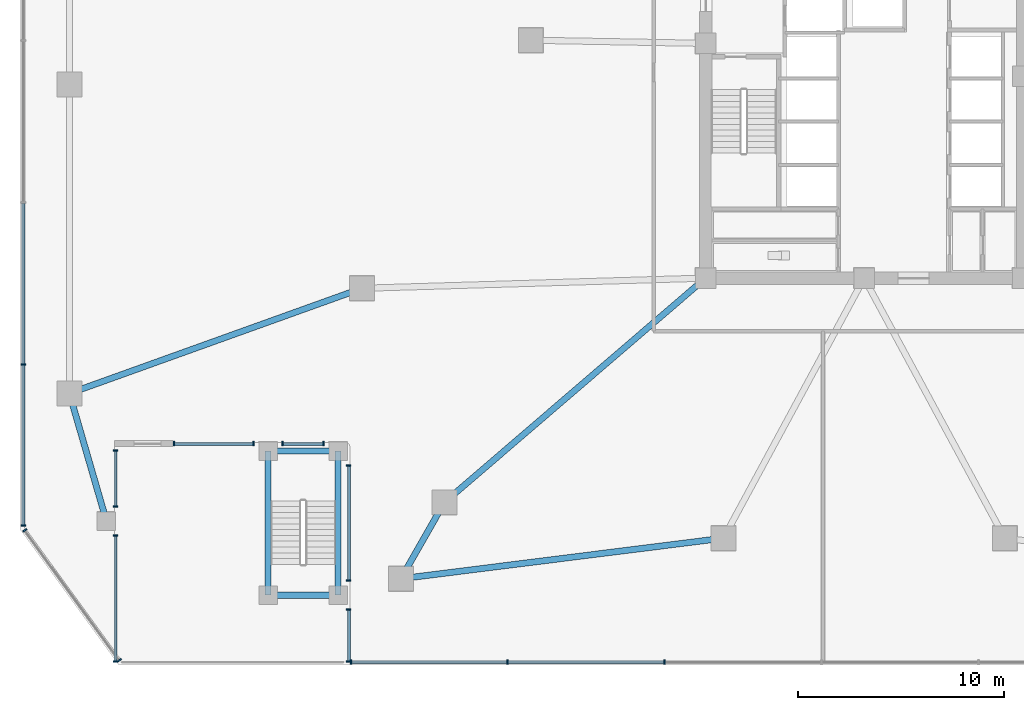
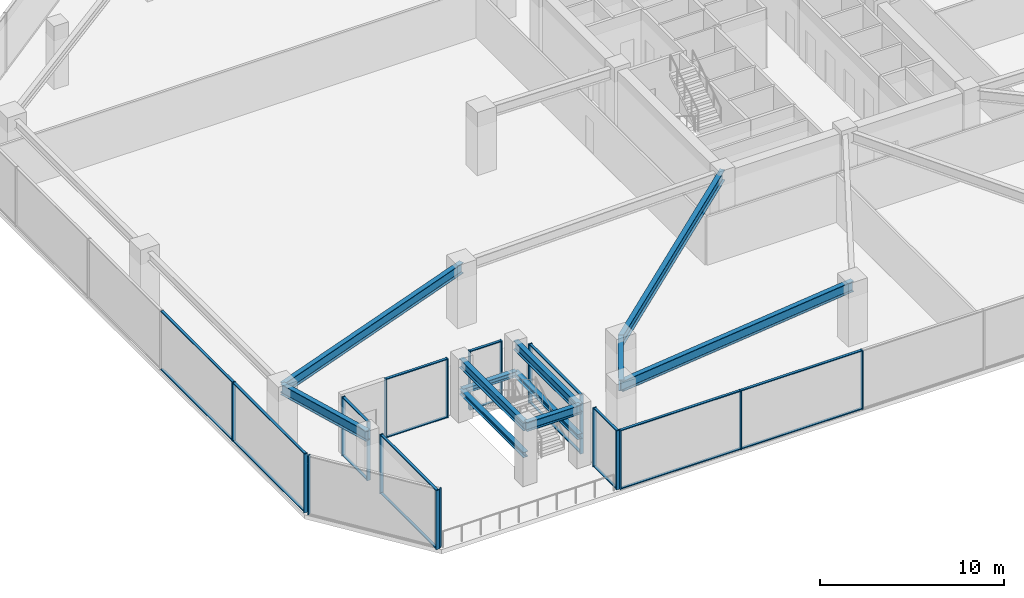
# One storey, part 2 of 21: 39 members, 11 beams, 9 elements without a shape of their own.
"""IFC4 building model written with IfcOpenShell, lengths in metres."""

from ifc_helpers import new_model, si_unit, direction, frame, origin, origin_2d, place, context, subcontext, project, spatial, rectangle, i_section, extrude, material, material_profile, profile_set, type_object, element, aggregate, save


model = new_model("IFC4")

# Units and contexts
model_context = context("Model", 3, precision=1e-05, world=origin(), true_north=direction((0.0, 1.0)))
body_context = subcontext(model_context, "Body", "Model", "MODEL_VIEW")
ifc_project = project(units=[si_unit("LENGTHUNIT", "METRE"), si_unit("AREAUNIT", "SQUARE_METRE"), si_unit("VOLUMEUNIT", "CUBIC_METRE"), si_unit("PLANEANGLEUNIT", "RADIAN"), si_unit("MASSUNIT", "GRAM", prefix="KILO")], contexts=[model_context])

# Site, building, storey
site_placement = place(None, origin())
site = spatial("IfcSite", under=ifc_project, at=site_placement, CompositionType="ELEMENT")
building_placement = place(site_placement, origin())
building = spatial("IfcBuilding", under=site, at=building_placement, Name="Savorim Split Tower", CompositionType="ELEMENT")
storey_placement = place(building_placement, frame((0.0, 0.0, 9.199951171875)))
storey = spatial("IfcBuildingStorey", under=building, at=storey_placement, Name="L02", CompositionType="ELEMENT", Elevation=9.199951171875)

# Beams
ifc_material_1 = material(Name="Steel S355", Category="steel")
ifc_material_profile_1 = material_profile(ifc_material_1, i_section(OverallWidth=0.300048828125, OverallDepth=0.60009765625, WebThickness=0.015380859375, FlangeThickness=0.030029296875, FilletRadius=0.027099609375, at=origin_2d()), Name="HEB 600")
ifc_profile_set_1 = profile_set([ifc_material_profile_1], Name="Steel S355")
beam_type_1 = type_object("IfcBeamType", Name="BM-PRI-HEB600", PredefinedType="BEAM", material=ifc_profile_set_1)
beam_1_placement = place(storey_placement, frame((-28.949951171875, -24.800048828125, 3.6201171875), z_axis=(1.0, 0.0, 0.0), x_axis=(0.0, 1.0, 0.0)))
element("IfcBeam", 1, at=beam_1_placement, inside=storey, type_object=beam_type_1, Name="L02 Exterior Garden Stair Framing Beam 1", PredefinedType="BEAM", context=body_context, shape_type="SweptSolid", body=[
    extrude(i_section(OverallWidth=0.300048828125, OverallDepth=0.60009765625, WebThickness=0.015380859375, FlangeThickness=0.030029296875, FilletRadius=0.027099609375, at=origin_2d()), origin(), (0.0, 0.0, 1.0), 3.39990234375),
])
for number, where, z_axis, x_axis, name in (
    (2, (-28.949951171875, -24.800048828125, 3.6201171875), (0.0, 1.0, 0.0), (-1.0, 0.0, 0.0), "L02 Exterior Garden Stair Framing Beam 3"),
    (3, (-25.550048828125, -24.800048828125, 3.6201171875), (0.0, 1.0, 0.0), (-1.0, 0.0, 0.0), "L02 Exterior Garden Stair Framing Beam 4"),
):
    element("IfcBeam", number, at=place(storey_placement, frame(where, z_axis=z_axis, x_axis=x_axis)), inside=storey, type_object=beam_type_1, Name=name, PredefinedType="BEAM", context=body_context, shape_type="SweptSolid", body=[
        extrude(i_section(OverallWidth=0.300048828125, OverallDepth=0.60009765625, WebThickness=0.015380859375, FlangeThickness=0.030029296875, FilletRadius=0.027099609375, at=origin_2d()), origin(), (0.0, 0.0, 1.0), 7.0),
    ])
ifc_material_profile_2 = material_profile(ifc_material_1, i_section(OverallWidth=0.300048828125, OverallDepth=0.699951171875, WebThickness=0.01708984375, FlangeThickness=0.031982421875, FilletRadius=0.027099609375, at=origin_2d()), Name="HEB 700")
ifc_profile_set_2 = profile_set([ifc_material_profile_2], Name="Steel S355")
beam_type_2 = type_object("IfcBeamType", Name="BM-PRI-HEB700", PredefinedType="BEAM", material=ifc_profile_set_2)
beam_2_placement = place(storey_placement, frame((-22.5, -24.0, 3.570068359375), z_axis=(0.495603085314, 0.868549124591, 0.0), x_axis=(-0.868549124591, 0.495603085314, 0.0)))
element("IfcBeam", 4, at=beam_2_placement, inside=storey, type_object=beam_type_2, Name="L02 Podium Primary Girder BG-01", PredefinedType="BEAM", context=body_context, shape_type="SweptSolid", body=[
    extrude(i_section(OverallWidth=0.300048828125, OverallDepth=0.699951171875, WebThickness=0.01708984375, FlangeThickness=0.031982421875, FilletRadius=0.027099609375, at=origin_2d()), origin(), (0.0, 0.0, 1.0), 4.26953125),
])
beam_3_placement = place(storey_placement, frame((-22.5, -24.0, 3.570068359375), z_axis=(0.992201816191, 0.124641710303, 0.0), x_axis=(-0.124641710303, 0.992201816191, 0.0)))
element("IfcBeam", 5, at=beam_3_placement, inside=storey, type_object=beam_type_2, Name="L02 Podium Primary Girder BG-02", PredefinedType="BEAM", context=body_context, shape_type="SweptSolid", body=[
    extrude(i_section(OverallWidth=0.300048828125, OverallDepth=0.699951171875, WebThickness=0.01708984375, FlangeThickness=0.031982421875, FilletRadius=0.027099609375, at=origin_2d()), origin(), (0.0, 0.0, 1.0), 15.791259765625),
])
beam_4_placement = place(storey_placement, frame((-38.60009765625, -15.0, 3.570068359375), z_axis=(0.941138119123, 0.338022248874, 0.0), x_axis=(-0.338022248874, 0.941138119123, 0.0)))
element("IfcBeam", 6, at=beam_4_placement, inside=storey, type_object=beam_type_2, Name="L02 Podium Primary Girder BG-19", PredefinedType="BEAM", context=body_context, shape_type="SweptSolid", body=[
    extrude(i_section(OverallWidth=0.300048828125, OverallDepth=0.699951171875, WebThickness=0.01708984375, FlangeThickness=0.031982421875, FilletRadius=0.027099609375, at=origin_2d()), origin(), (0.0, 0.0, 1.0), 15.104736328125),
])
beam_5_placement = place(storey_placement, frame((-38.60009765625, -15.0, 3.570068359375), z_axis=(0.278819195264, -0.960343613689, 0.0), x_axis=(0.960343613689, 0.278819195264, 0.0)))
element("IfcBeam", 7, at=beam_5_placement, inside=storey, type_object=beam_type_2, Name="L02 Podium Primary Girder BG-20", PredefinedType="BEAM", context=body_context, shape_type="SweptSolid", body=[
    extrude(i_section(OverallWidth=0.300048828125, OverallDepth=0.699951171875, WebThickness=0.01708984375, FlangeThickness=0.031982421875, FilletRadius=0.027099609375, at=origin_2d()), origin(), (0.0, 0.0, 1.0), 6.4560546875),
])
beam_6_placement = place(storey_placement, frame((-20.384033203125, -20.291748046875, 3.570068359375), z_axis=(0.758671842154, 0.651472974054, 0.0), x_axis=(-0.651472974054, 0.758671842154, 0.0)))
element("IfcBeam", 8, at=beam_6_placement, inside=storey, type_object=beam_type_2, Name="L02 Podium Primary Girder BG-22", PredefinedType="BEAM", context=body_context, shape_type="SweptSolid", body=[
    extrude(i_section(OverallWidth=0.300048828125, OverallDepth=0.699951171875, WebThickness=0.01708984375, FlangeThickness=0.031982421875, FilletRadius=0.027099609375, at=origin_2d()), origin(), (0.0, 0.0, 1.0), 16.71875),
])
ifc_material_profile_3 = material_profile(ifc_material_1, i_section(OverallWidth=0.300048828125, OverallDepth=0.35009765625, WebThickness=0.010009765625, FlangeThickness=0.017578125, FilletRadius=0.027099609375, at=origin_2d()), Name="HEA 360")
ifc_profile_set_3 = profile_set([ifc_material_profile_3], Name="Steel S355")
beam_type_3 = type_object("IfcBeamType", Name="BM-SPN-HEA360", PredefinedType="SPANDREL", material=ifc_profile_set_3)
beam_7_placement = place(storey_placement, frame((-28.949951171875, -17.800048828125, 1.72509765625), z_axis=(1.0, 0.0, 0.0), x_axis=(0.0, 1.0, 0.0)))
element("IfcBeam", 9, at=beam_7_placement, inside=storey, type_object=beam_type_3, Name="L02 Garden Stair Half-Landing Beam 1", PredefinedType="SPANDREL", context=body_context, shape_type="SweptSolid", body=[
    extrude(i_section(OverallWidth=0.300048828125, OverallDepth=0.35009765625, WebThickness=0.010009765625, FlangeThickness=0.017578125, FilletRadius=0.027099609375, at=origin_2d()), origin(), (0.0, 0.0, 1.0), 3.39990234375),
])
for number, where, z_axis, x_axis, name in (
    (10, (-28.949951171875, -24.800048828125, 1.72509765625), (0.0, 1.0, 0.0), (-1.0, 0.0, 0.0), "L02 Garden Stair Half-Landing Beam 2"),
    (11, (-25.550048828125, -24.800048828125, 1.72509765625), (0.0, 1.0, 0.0), (-1.0, 0.0, 0.0), "L02 Garden Stair Half-Landing Beam 3"),
):
    element("IfcBeam", number, at=place(storey_placement, frame(where, z_axis=z_axis, x_axis=x_axis)), inside=storey, type_object=beam_type_3, Name=name, PredefinedType="SPANDREL", context=body_context, shape_type="SweptSolid", body=[
        extrude(i_section(OverallWidth=0.300048828125, OverallDepth=0.35009765625, WebThickness=0.010009765625, FlangeThickness=0.017578125, FilletRadius=0.027099609375, at=origin_2d()), origin(), (0.0, 0.0, 1.0), 7.0),
    ])

# Curtain wall, members
ifc_material_2 = material(Name="Dark Ceramic-Fritted Insulated Glass", Category="glass")
curtain_wall_type = type_object("IfcCurtainWallType", Name="CW-POD-GLZ", PredefinedType="NOTDEFINED", material=ifc_material_2)
curtain_wall_1_placement = place(storey_placement, origin())
curtain_wall_1 = element("IfcCurtainWall", 12, at=curtain_wall_1_placement, inside=storey, type_object=curtain_wall_type, Name="L02 Curtain Wall CW-L02-E01S1", PredefinedType="NOTDEFINED")
ifc_material_3 = material(Name="Charcoal Anodised Aluminium", Category="aluminium")
ifc_material_profile_4 = material_profile(ifc_material_3, rectangle(XDim=0.219970703125, YDim=0.070068359375, at=origin_2d()), Name="ALU-M 220x70")
ifc_profile_set_4 = profile_set([ifc_material_profile_4], Name="Charcoal Anodised Aluminium")
member_type_1 = type_object("IfcMemberType", Name="CWM-220x70", PredefinedType="MULLION", material=ifc_profile_set_4)
member_1_placement = place(storey_placement, frame((-36.360107421875, -28.02490234375, 0.0), z_axis=(0.0, 0.0, 1.0), x_axis=(-1.0, 0.0, 0.0)))
member_1 = element("IfcMember", 13, at=member_1_placement, type_object=member_type_1, Name="CW-01 mullion 1", PredefinedType="MULLION", context=body_context, shape_type="SweptSolid", body=[
    extrude(rectangle(XDim=0.219970703125, YDim=0.070068359375, at=origin_2d()), origin(), (0.0, 0.0, 1.0), 3.920166015625),
])
member_2_placement = place(storey_placement, frame((-36.360107421875, -21.905029296875, 0.0), z_axis=(0.0, 0.0, 1.0), x_axis=(-1.0, 0.0, 0.0)))
member_2 = element("IfcMember", 14, at=member_2_placement, type_object=member_type_1, Name="CW-01 mullion 2", PredefinedType="MULLION", context=body_context, shape_type="SweptSolid", body=[
    extrude(rectangle(XDim=0.219970703125, YDim=0.070068359375, at=origin_2d()), origin(), (0.0, 0.0, 1.0), 3.920166015625),
])

curtain_wall_2_placement = place(storey_placement, origin())
curtain_wall_2 = element("IfcCurtainWall", 15, at=curtain_wall_2_placement, inside=storey, type_object=curtain_wall_type, Name="L02 Curtain Wall CW-L02-E01S2", PredefinedType="NOTDEFINED")
member_3_placement = place(storey_placement, frame((-36.360107421875, -20.4951171875, 0.0), z_axis=(0.0, 0.0, 1.0), x_axis=(-1.0, 0.0, 0.0)))
member_3 = element("IfcMember", 16, at=member_3_placement, type_object=member_type_1, Name="CW-01 mullion 1", PredefinedType="MULLION", context=body_context, shape_type="SweptSolid", body=[
    extrude(rectangle(XDim=0.219970703125, YDim=0.070068359375, at=origin_2d()), origin(), (0.0, 0.0, 1.0), 3.920166015625),
])
member_4_placement = place(storey_placement, frame((-36.360107421875, -17.77490234375, 0.0), z_axis=(0.0, 0.0, 1.0), x_axis=(-1.0, 0.0, 0.0)))
member_4 = element("IfcMember", 17, at=member_4_placement, type_object=member_type_1, Name="CW-01 mullion 2", PredefinedType="MULLION", context=body_context, shape_type="SweptSolid", body=[
    extrude(rectangle(XDim=0.219970703125, YDim=0.070068359375, at=origin_2d()), origin(), (0.0, 0.0, 1.0), 3.920166015625),
])

curtain_wall_3_placement = place(storey_placement, origin())
curtain_wall_3 = element("IfcCurtainWall", 18, at=curtain_wall_3_placement, inside=storey, type_object=curtain_wall_type, Name="L02 Curtain Wall CW-L02-E02S1", PredefinedType="NOTDEFINED")
member_5_placement = place(storey_placement, frame((-33.52490234375, -17.43994140625, 0.0), z_axis=(0.0, 0.0, 1.0), x_axis=(0.0, 1.0, 0.0)))
member_5 = element("IfcMember", 19, at=member_5_placement, type_object=member_type_1, Name="CW-01 mullion 1", PredefinedType="MULLION", context=body_context, shape_type="SweptSolid", body=[
    extrude(rectangle(XDim=0.219970703125, YDim=0.070068359375, at=origin_2d()), origin(), (0.0, 0.0, 1.0), 3.920166015625),
])
member_6_placement = place(storey_placement, frame((-29.655029296875, -17.43994140625, 0.0), z_axis=(0.0, 0.0, 1.0), x_axis=(0.0, 1.0, 0.0)))
member_6 = element("IfcMember", 20, at=member_6_placement, type_object=member_type_1, Name="CW-01 mullion 2", PredefinedType="MULLION", context=body_context, shape_type="SweptSolid", body=[
    extrude(rectangle(XDim=0.219970703125, YDim=0.070068359375, at=origin_2d()), origin(), (0.0, 0.0, 1.0), 3.920166015625),
])

curtain_wall_4_placement = place(storey_placement, origin())
curtain_wall_4 = element("IfcCurtainWall", 21, at=curtain_wall_4_placement, inside=storey, type_object=curtain_wall_type, Name="L02 Curtain Wall CW-L02-E02S2", PredefinedType="NOTDEFINED")
member_7_placement = place(storey_placement, frame((-28.2451171875, -17.43994140625, 0.0), z_axis=(0.0, 0.0, 1.0), x_axis=(0.0, 1.0, 0.0)))
member_7 = element("IfcMember", 22, at=member_7_placement, type_object=member_type_1, Name="CW-01 mullion 1", PredefinedType="MULLION", context=body_context, shape_type="SweptSolid", body=[
    extrude(rectangle(XDim=0.219970703125, YDim=0.070068359375, at=origin_2d()), origin(), (0.0, 0.0, 1.0), 3.920166015625),
])
member_8_placement = place(storey_placement, frame((-26.2548828125, -17.43994140625, 0.0), z_axis=(0.0, 0.0, 1.0), x_axis=(0.0, 1.0, 0.0)))
member_8 = element("IfcMember", 23, at=member_8_placement, type_object=member_type_1, Name="CW-01 mullion 2", PredefinedType="MULLION", context=body_context, shape_type="SweptSolid", body=[
    extrude(rectangle(XDim=0.219970703125, YDim=0.070068359375, at=origin_2d()), origin(), (0.0, 0.0, 1.0), 3.920166015625),
])

curtain_wall_5_placement = place(storey_placement, origin())
curtain_wall_5 = element("IfcCurtainWall", 24, at=curtain_wall_5_placement, inside=storey, type_object=curtain_wall_type, Name="L02 Curtain Wall CW-L02-E03S1", PredefinedType="NOTDEFINED")
member_9_placement = place(storey_placement, frame((-25.0400390625, -18.5048828125, 0.0), z_axis=(0.0, 0.0, 1.0), x_axis=(1.0, 0.0, 0.0)))
member_9 = element("IfcMember", 25, at=member_9_placement, type_object=member_type_1, Name="CW-01 mullion 1", PredefinedType="MULLION", context=body_context, shape_type="SweptSolid", body=[
    extrude(rectangle(XDim=0.219970703125, YDim=0.070068359375, at=origin_2d()), origin(), (0.0, 0.0, 1.0), 3.920166015625),
])
member_10_placement = place(storey_placement, frame((-25.0400390625, -24.094970703125, 0.0), z_axis=(0.0, 0.0, 1.0), x_axis=(1.0, 0.0, 0.0)))
member_10 = element("IfcMember", 26, at=member_10_placement, type_object=member_type_1, Name="CW-01 mullion 2", PredefinedType="MULLION", context=body_context, shape_type="SweptSolid", body=[
    extrude(rectangle(XDim=0.219970703125, YDim=0.070068359375, at=origin_2d()), origin(), (0.0, 0.0, 1.0), 3.920166015625),
])

curtain_wall_6_placement = place(storey_placement, origin())
curtain_wall_6 = element("IfcCurtainWall", 27, at=curtain_wall_6_placement, inside=storey, type_object=curtain_wall_type, Name="L02 Curtain Wall CW-L02-E03S2", PredefinedType="NOTDEFINED")
member_11_placement = place(storey_placement, frame((-25.0400390625, -25.5048828125, 0.0), z_axis=(0.0, 0.0, 1.0), x_axis=(1.0, 0.0, 0.0)))
member_11 = element("IfcMember", 28, at=member_11_placement, type_object=member_type_1, Name="CW-01 mullion 1", PredefinedType="MULLION", context=body_context, shape_type="SweptSolid", body=[
    extrude(rectangle(XDim=0.219970703125, YDim=0.070068359375, at=origin_2d()), origin(), (0.0, 0.0, 1.0), 3.920166015625),
])
member_12_placement = place(storey_placement, frame((-25.0400390625, -28.02490234375, 0.0), z_axis=(0.0, 0.0, 1.0), x_axis=(1.0, 0.0, 0.0)))
member_12 = element("IfcMember", 29, at=member_12_placement, type_object=member_type_1, Name="CW-01 mullion 2", PredefinedType="MULLION", context=body_context, shape_type="SweptSolid", body=[
    extrude(rectangle(XDim=0.219970703125, YDim=0.070068359375, at=origin_2d()), origin(), (0.0, 0.0, 1.0), 3.920166015625),
])

curtain_wall_7_placement = place(storey_placement, origin())
curtain_wall_7 = element("IfcCurtainWall", 30, at=curtain_wall_7_placement, inside=storey, type_object=curtain_wall_type, Name="L02 Curtain Wall CW-L02-E04", PredefinedType="NOTDEFINED")
member_13_placement = place(storey_placement, frame((-24.919921875, -28.0400390625, 0.0), z_axis=(0.0, 0.0, 1.0), x_axis=(0.0, 1.0, 0.0)))
member_13 = element("IfcMember", 31, at=member_13_placement, type_object=member_type_1, Name="CW-01 mullion 1", PredefinedType="MULLION", context=body_context, shape_type="SweptSolid", body=[
    extrude(rectangle(XDim=0.219970703125, YDim=0.070068359375, at=origin_2d()), origin(), (0.0, 0.0, 1.0), 3.920166015625),
])
member_14_placement = place(storey_placement, frame((-17.328125, -28.0400390625, 0.0), z_axis=(0.0, 0.0, 1.0), x_axis=(0.0, 1.0, 0.0)))
member_14 = element("IfcMember", 32, at=member_14_placement, type_object=member_type_1, Name="CW-01 mullion 2", PredefinedType="MULLION", context=body_context, shape_type="SweptSolid", body=[
    extrude(rectangle(XDim=0.219970703125, YDim=0.070068359375, at=origin_2d()), origin(), (0.0, 0.0, 1.0), 3.920166015625),
])
member_15_placement = place(storey_placement, frame((-9.701171875, -28.0400390625, 0.0), z_axis=(0.0, 0.0, 1.0), x_axis=(0.0, 1.0, 0.0)))
member_15 = element("IfcMember", 33, at=member_15_placement, type_object=member_type_1, Name="CW-01 mullion 3", PredefinedType="MULLION", context=body_context, shape_type="SweptSolid", body=[
    extrude(rectangle(XDim=0.219970703125, YDim=0.070068359375, at=origin_2d()), origin(), (0.0, 0.0, 1.0), 3.920166015625),
])

curtain_wall_8_placement = place(storey_placement, origin())
curtain_wall_8 = element("IfcCurtainWall", 34, at=curtain_wall_8_placement, inside=storey, type_object=curtain_wall_type, Name="L02 Curtain Wall CW-L02-E10", PredefinedType="NOTDEFINED")
member_16_placement = place(storey_placement, frame((-40.840087890625, -13.595947265625, 0.0), z_axis=(0.0, 0.0, 1.0), x_axis=(1.0, 0.0, 0.0)))
member_16 = element("IfcMember", 35, at=member_16_placement, type_object=member_type_1, Name="CW-01 mullion 5", PredefinedType="MULLION", context=body_context, shape_type="SweptSolid", body=[
    extrude(rectangle(XDim=0.219970703125, YDim=0.070068359375, at=origin_2d()), origin(), (0.0, 0.0, 1.0), 3.920166015625),
])
member_17_placement = place(storey_placement, frame((-40.840087890625, -21.425048828125, 0.0), z_axis=(0.0, 0.0, 1.0), x_axis=(1.0, 0.0, 0.0)))
member_17 = element("IfcMember", 36, at=member_17_placement, type_object=member_type_1, Name="CW-01 mullion 6", PredefinedType="MULLION", context=body_context, shape_type="SweptSolid", body=[
    extrude(rectangle(XDim=0.219970703125, YDim=0.070068359375, at=origin_2d()), origin(), (0.0, 0.0, 1.0), 3.920166015625),
])

curtain_wall_9_placement = place(storey_placement, origin())
curtain_wall_9 = element("IfcCurtainWall", 37, at=curtain_wall_9_placement, inside=storey, type_object=curtain_wall_type, Name="L02 Curtain Wall CW-L02-E11", PredefinedType="NOTDEFINED")
member_18_placement = place(storey_placement, frame((-40.767822265625, -21.6474609375, 0.0), z_axis=(0.0, 0.0, 1.0), x_axis=(0.808732792063, 0.588176224478, 0.0)))
member_18 = element("IfcMember", 38, at=member_18_placement, type_object=member_type_1, Name="CW-01 mullion 1", PredefinedType="MULLION", context=body_context, shape_type="SweptSolid", body=[
    extrude(rectangle(XDim=0.219970703125, YDim=0.070068359375, at=origin_2d()), origin(), (0.0, 0.0, 1.0), 3.920166015625),
])
member_19_placement = place(storey_placement, frame((-36.173583984375, -27.96435546875, 0.0), z_axis=(0.0, 0.0, 1.0), x_axis=(0.808732792063, 0.588176224478, 0.0)))
member_19 = element("IfcMember", 39, at=member_19_placement, type_object=member_type_1, Name="CW-01 mullion 2", PredefinedType="MULLION", context=body_context, shape_type="SweptSolid", body=[
    extrude(rectangle(XDim=0.219970703125, YDim=0.070068359375, at=origin_2d()), origin(), (0.0, 0.0, 1.0), 3.920166015625),
])
aggregate(curtain_wall_9, [member_18, member_19])

# Member
ifc_material_profile_5 = material_profile(ifc_material_3, rectangle(XDim=0.159912109375, YDim=0.06005859375, at=origin_2d()), Name="ALU-T 160x60")
ifc_profile_set_5 = profile_set([ifc_material_profile_5], Name="Charcoal Anodised Aluminium")
member_type_2 = type_object("IfcMemberType", Name="CWT-160x60", PredefinedType="USERDEFINED", material=ifc_profile_set_5)
member_20_placement = place(storey_placement, frame((-36.360107421875, -27.989990234375, 0.030029296875), z_axis=(0.0, 1.0, 0.0), x_axis=(-1.0, 0.0, 0.0)))
member_20 = element("IfcMember", 40, at=member_20_placement, type_object=member_type_2, Name="CW-01 transom 1.1", ObjectType="TRANSOM", PredefinedType="USERDEFINED", context=body_context, shape_type="SweptSolid", body=[
    extrude(rectangle(XDim=0.159912109375, YDim=0.06005859375, at=origin_2d()), origin(), (0.0, 0.0, 1.0), 6.050048828125),
])

member_21_placement = place(storey_placement, frame((-36.360107421875, -27.989990234375, 3.89013671875), z_axis=(0.0, 1.0, 0.0), x_axis=(-1.0, 0.0, 0.0)))
member_21 = element("IfcMember", 41, at=member_21_placement, type_object=member_type_2, Name="CW-01 transom 1.2", ObjectType="TRANSOM", PredefinedType="USERDEFINED", context=body_context, shape_type="SweptSolid", body=[
    extrude(rectangle(XDim=0.159912109375, YDim=0.06005859375, at=origin_2d()), origin(), (0.0, 0.0, 1.0), 6.050048828125),
])

aggregate(curtain_wall_1, [member_1, member_2, member_20, member_21])

member_22_placement = place(storey_placement, frame((-36.360107421875, -20.4599609375, 0.030029296875), z_axis=(0.0, 1.0, 0.0), x_axis=(-1.0, 0.0, 0.0)))
member_22 = element("IfcMember", 42, at=member_22_placement, type_object=member_type_2, Name="CW-01 transom 1.1", ObjectType="TRANSOM", PredefinedType="USERDEFINED", context=body_context, shape_type="SweptSolid", body=[
    extrude(rectangle(XDim=0.159912109375, YDim=0.06005859375, at=origin_2d()), origin(), (0.0, 0.0, 1.0), 2.64990234375),
])

member_23_placement = place(storey_placement, frame((-36.360107421875, -20.4599609375, 3.89013671875), z_axis=(0.0, 1.0, 0.0), x_axis=(-1.0, 0.0, 0.0)))
member_23 = element("IfcMember", 43, at=member_23_placement, type_object=member_type_2, Name="CW-01 transom 1.2", ObjectType="TRANSOM", PredefinedType="USERDEFINED", context=body_context, shape_type="SweptSolid", body=[
    extrude(rectangle(XDim=0.159912109375, YDim=0.06005859375, at=origin_2d()), origin(), (0.0, 0.0, 1.0), 2.64990234375),
])

aggregate(curtain_wall_2, [member_3, member_4, member_22, member_23])

member_24_placement = place(storey_placement, frame((-33.489990234375, -17.43994140625, 0.030029296875), z_axis=(1.0, 0.0, 0.0), x_axis=(0.0, 1.0, 0.0)))
member_24 = element("IfcMember", 44, at=member_24_placement, type_object=member_type_2, Name="CW-01 transom 1.1", ObjectType="TRANSOM", PredefinedType="USERDEFINED", context=body_context, shape_type="SweptSolid", body=[
    extrude(rectangle(XDim=0.159912109375, YDim=0.06005859375, at=origin_2d()), origin(), (0.0, 0.0, 1.0), 3.800048828125),
])

member_25_placement = place(storey_placement, frame((-33.489990234375, -17.43994140625, 3.89013671875), z_axis=(1.0, 0.0, 0.0), x_axis=(0.0, 1.0, 0.0)))
member_25 = element("IfcMember", 45, at=member_25_placement, type_object=member_type_2, Name="CW-01 transom 1.2", ObjectType="TRANSOM", PredefinedType="USERDEFINED", context=body_context, shape_type="SweptSolid", body=[
    extrude(rectangle(XDim=0.159912109375, YDim=0.06005859375, at=origin_2d()), origin(), (0.0, 0.0, 1.0), 3.800048828125),
])

aggregate(curtain_wall_3, [member_5, member_6, member_24, member_25])

member_26_placement = place(storey_placement, frame((-28.2099609375, -17.43994140625, 0.030029296875), z_axis=(1.0, 0.0, 0.0), x_axis=(0.0, 1.0, 0.0)))
member_26 = element("IfcMember", 46, at=member_26_placement, type_object=member_type_2, Name="CW-01 transom 1.1", ObjectType="TRANSOM", PredefinedType="USERDEFINED", context=body_context, shape_type="SweptSolid", body=[
    extrude(rectangle(XDim=0.159912109375, YDim=0.06005859375, at=origin_2d()), origin(), (0.0, 0.0, 1.0), 1.919921875),
])

member_27_placement = place(storey_placement, frame((-28.2099609375, -17.43994140625, 3.89013671875), z_axis=(1.0, 0.0, 0.0), x_axis=(0.0, 1.0, 0.0)))
member_27 = element("IfcMember", 47, at=member_27_placement, type_object=member_type_2, Name="CW-01 transom 1.2", ObjectType="TRANSOM", PredefinedType="USERDEFINED", context=body_context, shape_type="SweptSolid", body=[
    extrude(rectangle(XDim=0.159912109375, YDim=0.06005859375, at=origin_2d()), origin(), (0.0, 0.0, 1.0), 1.919921875),
])

aggregate(curtain_wall_4, [member_7, member_8, member_26, member_27])

member_28_placement = place(storey_placement, frame((-25.0400390625, -18.5400390625, 0.030029296875), z_axis=(0.0, -1.0, 0.0), x_axis=(1.0, 0.0, 0.0)))
member_28 = element("IfcMember", 48, at=member_28_placement, type_object=member_type_2, Name="CW-01 transom 1.1", ObjectType="TRANSOM", PredefinedType="USERDEFINED", context=body_context, shape_type="SweptSolid", body=[
    extrude(rectangle(XDim=0.159912109375, YDim=0.06005859375, at=origin_2d()), origin(), (0.0, 0.0, 1.0), 5.52001953125),
])

member_29_placement = place(storey_placement, frame((-25.0400390625, -18.5400390625, 3.89013671875), z_axis=(0.0, -1.0, 0.0), x_axis=(1.0, 0.0, 0.0)))
member_29 = element("IfcMember", 49, at=member_29_placement, type_object=member_type_2, Name="CW-01 transom 1.2", ObjectType="TRANSOM", PredefinedType="USERDEFINED", context=body_context, shape_type="SweptSolid", body=[
    extrude(rectangle(XDim=0.159912109375, YDim=0.06005859375, at=origin_2d()), origin(), (0.0, 0.0, 1.0), 5.52001953125),
])

aggregate(curtain_wall_5, [member_9, member_10, member_28, member_29])

member_30_placement = place(storey_placement, frame((-25.0400390625, -25.5400390625, 0.030029296875), z_axis=(0.0, -1.0, 0.0), x_axis=(1.0, 0.0, 0.0)))
member_30 = element("IfcMember", 50, at=member_30_placement, type_object=member_type_2, Name="CW-01 transom 1.1", ObjectType="TRANSOM", PredefinedType="USERDEFINED", context=body_context, shape_type="SweptSolid", body=[
    extrude(rectangle(XDim=0.159912109375, YDim=0.06005859375, at=origin_2d()), origin(), (0.0, 0.0, 1.0), 2.449951171875),
])

member_31_placement = place(storey_placement, frame((-25.0400390625, -25.5400390625, 3.89013671875), z_axis=(0.0, -1.0, 0.0), x_axis=(1.0, 0.0, 0.0)))
member_31 = element("IfcMember", 51, at=member_31_placement, type_object=member_type_2, Name="CW-01 transom 1.2", ObjectType="TRANSOM", PredefinedType="USERDEFINED", context=body_context, shape_type="SweptSolid", body=[
    extrude(rectangle(XDim=0.159912109375, YDim=0.06005859375, at=origin_2d()), origin(), (0.0, 0.0, 1.0), 2.449951171875),
])

aggregate(curtain_wall_6, [member_11, member_12, member_30, member_31])

member_32_placement = place(storey_placement, frame((-24.885009765625, -28.0400390625, 0.030029296875), z_axis=(1.0, 0.0, 0.0), x_axis=(0.0, 1.0, 0.0)))
member_32 = element("IfcMember", 52, at=member_32_placement, type_object=member_type_2, Name="CW-01 transom 1.1", ObjectType="TRANSOM", PredefinedType="USERDEFINED", context=body_context, shape_type="SweptSolid", body=[
    extrude(rectangle(XDim=0.159912109375, YDim=0.06005859375, at=origin_2d()), origin(), (0.0, 0.0, 1.0), 7.52197265625),
])

member_33_placement = place(storey_placement, frame((-24.885009765625, -28.0400390625, 3.89013671875), z_axis=(1.0, 0.0, 0.0), x_axis=(0.0, 1.0, 0.0)))
member_33 = element("IfcMember", 53, at=member_33_placement, type_object=member_type_2, Name="CW-01 transom 1.2", ObjectType="TRANSOM", PredefinedType="USERDEFINED", context=body_context, shape_type="SweptSolid", body=[
    extrude(rectangle(XDim=0.159912109375, YDim=0.06005859375, at=origin_2d()), origin(), (0.0, 0.0, 1.0), 7.52197265625),
])

member_34_placement = place(storey_placement, frame((-17.293212890625, -28.0400390625, 0.030029296875), z_axis=(1.0, 0.0, 0.0), x_axis=(0.0, 1.0, 0.0)))
member_34 = element("IfcMember", 54, at=member_34_placement, type_object=member_type_2, Name="CW-01 transom 2.1", ObjectType="TRANSOM", PredefinedType="USERDEFINED", context=body_context, shape_type="SweptSolid", body=[
    extrude(rectangle(XDim=0.159912109375, YDim=0.06005859375, at=origin_2d()), origin(), (0.0, 0.0, 1.0), 7.556884765625),
])

member_35_placement = place(storey_placement, frame((-17.293212890625, -28.0400390625, 3.89013671875), z_axis=(1.0, 0.0, 0.0), x_axis=(0.0, 1.0, 0.0)))
member_35 = element("IfcMember", 55, at=member_35_placement, type_object=member_type_2, Name="CW-01 transom 2.2", ObjectType="TRANSOM", PredefinedType="USERDEFINED", context=body_context, shape_type="SweptSolid", body=[
    extrude(rectangle(XDim=0.159912109375, YDim=0.06005859375, at=origin_2d()), origin(), (0.0, 0.0, 1.0), 7.556884765625),
])

aggregate(curtain_wall_7, [member_13, member_14, member_15, member_32, member_33, member_34, member_35])

member_36_placement = place(storey_placement, frame((-40.840087890625, -5.76708984375, 0.030029296875), z_axis=(0.0, -1.0, 0.0), x_axis=(1.0, 0.0, 0.0)))
member_36 = element("IfcMember", 56, at=member_36_placement, type_object=member_type_2, Name="CW-01 transom 4.1", ObjectType="TRANSOM", PredefinedType="USERDEFINED", context=body_context, shape_type="SweptSolid", body=[
    extrude(rectangle(XDim=0.159912109375, YDim=0.06005859375, at=origin_2d()), origin(), (0.0, 0.0, 1.0), 7.7939453125),
])

member_37_placement = place(storey_placement, frame((-40.840087890625, -5.76708984375, 3.89013671875), z_axis=(0.0, -1.0, 0.0), x_axis=(1.0, 0.0, 0.0)))
member_37 = element("IfcMember", 57, at=member_37_placement, type_object=member_type_2, Name="CW-01 transom 4.2", ObjectType="TRANSOM", PredefinedType="USERDEFINED", context=body_context, shape_type="SweptSolid", body=[
    extrude(rectangle(XDim=0.159912109375, YDim=0.06005859375, at=origin_2d()), origin(), (0.0, 0.0, 1.0), 7.7939453125),
])

member_38_placement = place(storey_placement, frame((-40.840087890625, -13.631103515625, 0.030029296875), z_axis=(0.0, -1.0, 0.0), x_axis=(1.0, 0.0, 0.0)))
member_38 = element("IfcMember", 58, at=member_38_placement, type_object=member_type_2, Name="CW-01 transom 5.1", ObjectType="TRANSOM", PredefinedType="USERDEFINED", context=body_context, shape_type="SweptSolid", body=[
    extrude(rectangle(XDim=0.159912109375, YDim=0.06005859375, at=origin_2d()), origin(), (0.0, 0.0, 1.0), 7.7587890625),
])

member_39_placement = place(storey_placement, frame((-40.840087890625, -13.631103515625, 3.89013671875), z_axis=(0.0, -1.0, 0.0), x_axis=(1.0, 0.0, 0.0)))
member_39 = element("IfcMember", 59, at=member_39_placement, type_object=member_type_2, Name="CW-01 transom 5.2", ObjectType="TRANSOM", PredefinedType="USERDEFINED", context=body_context, shape_type="SweptSolid", body=[
    extrude(rectangle(XDim=0.159912109375, YDim=0.06005859375, at=origin_2d()), origin(), (0.0, 0.0, 1.0), 7.7587890625),
])

aggregate(curtain_wall_8, [member_16, member_17, member_36, member_37, member_38, member_39])

save(model, "model.ifc")
